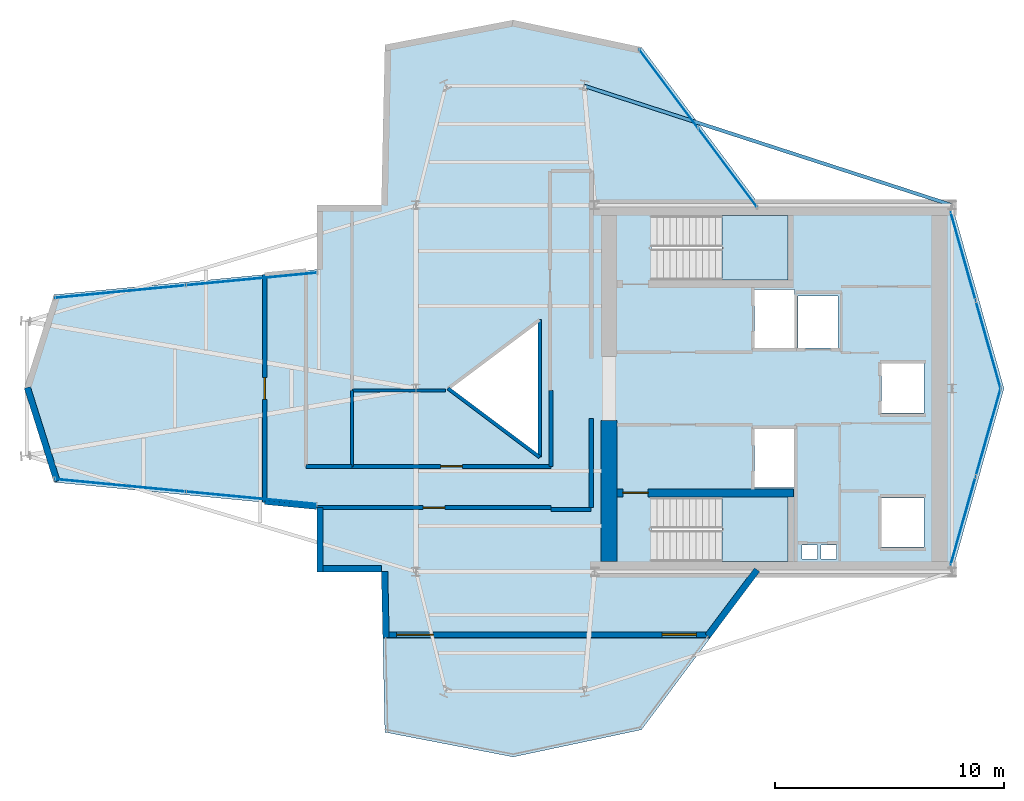
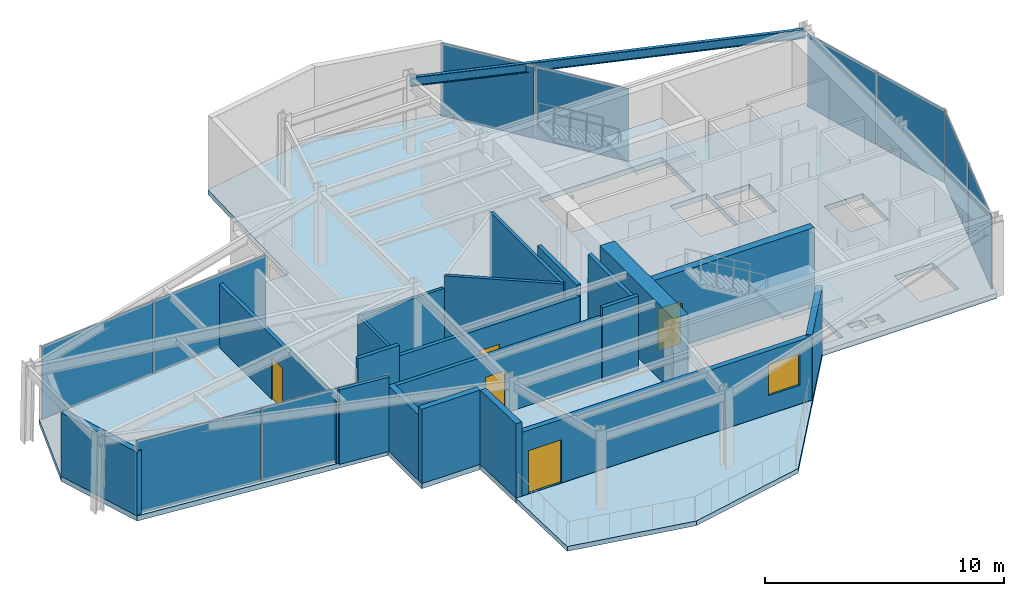
# One storey, part 14 of 18: 20 walls, 10 plates, 5 doors, 4 slabs, 1 beam, 1 window, 6 openings, 7 elements without a shape of their own.
"""IFC4 building model written with IfcOpenShell, lengths in metres."""

from ifc_helpers import new_model, si_unit, direction, frame, frame_2d, origin, origin_2d, place, context, subcontext, project, spatial, polyline, rectangle, i_section, outline, extrude, material, layer, layer_set, material_profile, profile_set, type_object, element, fill, aggregate, save


model = new_model("IFC4")

# Units and contexts
model_context = context("Model", 3, precision=1e-05, world=origin(), true_north=direction((0.0, 1.0)))
body_context = subcontext(model_context, "Body", "Model", "MODEL_VIEW")
ifc_project = project(units=[si_unit("LENGTHUNIT", "METRE"), si_unit("AREAUNIT", "SQUARE_METRE"), si_unit("VOLUMEUNIT", "CUBIC_METRE"), si_unit("PLANEANGLEUNIT", "RADIAN"), si_unit("MASSUNIT", "GRAM", prefix="KILO")], contexts=[model_context])

# Site, building, storey
site_placement = place(None, origin())
site = spatial("IfcSite", under=ifc_project, at=site_placement, CompositionType="ELEMENT")
building_placement = place(site_placement, origin())
building = spatial("IfcBuilding", under=site, at=building_placement, Name="Veymaron Broadcast Tower", CompositionType="ELEMENT")
storey_placement = place(building_placement, frame((0.0, 0.0, 236.39990234375)))
storey = spatial("IfcBuildingStorey", under=building, at=storey_placement, Name="L55", CompositionType="ELEMENT", Elevation=236.39990234375)

# Beam
ifc_material_1 = material(Name="Structural steel ASTM A992 Gr 50", Category="steel")
ifc_material_profile = material_profile(ifc_material_1, i_section(OverallWidth=0.154052734375, OverallDepth=0.458984375, WebThickness=0.009033203125, FlangeThickness=0.015380859375, at=origin_2d()), Name="W460X68")
ifc_profile_set = profile_set([ifc_material_profile], Name="Structural steel ASTM A992 Gr 50")
beam_type = type_object("IfcBeamType", Name="BM-SP2", PredefinedType="SPANDREL", material=ifc_profile_set)
beam_placement = place(storey_placement, frame((54.60009765625, 32.0, 3.560546875), z_axis=(-0.951229239257, 0.308484901384, 0.0), x_axis=(-0.308484901384, -0.951229239257, 0.0)))
element("IfcBeam", 1, at=beam_placement, inside=storey, type_object=beam_type, Name="L55 primary structural floor girder", PredefinedType="SPANDREL", context=body_context, shape_type="SweptSolid", body=[
    extrude(i_section(OverallWidth=0.154052734375, OverallDepth=0.458984375, WebThickness=0.009033203125, FlangeThickness=0.015380859375, at=origin_2d()), origin(), (0.0, 0.0, 1.0), 16.888916015625),
])

# Curtain wall, plates
ifc_material_2 = material(Name="Anodised aluminium AA 6063-T6 and laminated low-E dark glass", Category="aluminium")
ifc_layer_1 = layer(ifc_material_2, 0.179931640625)
ifc_layer_set_1 = layer_set([ifc_layer_1], Name="Anodised aluminium AA 6063-T6 and laminated low-E dark glass")
curtain_wall_type = type_object("IfcCurtainWallType", Name="CW-SYS-05", PredefinedType="NOTDEFINED", material=ifc_layer_set_1)
curtain_wall_1_placement = place(storey_placement, origin())
curtain_wall_1 = element("IfcCurtainWall", 2, at=curtain_wall_1_placement, inside=storey, type_object=curtain_wall_type, Name="L55 dark-glass curtain wall CW-L55-E4-1", PredefinedType="NOTDEFINED")
ifc_material_3 = material(Name="Double-silver solar-control dark glass IGU 32 mm", Category="glass")
ifc_layer_2 = layer(ifc_material_3, 0.031982421875)
ifc_layer_set_2 = layer_set([ifc_layer_2], Name="Double-silver solar-control dark glass IGU 32 mm")
plate_type = type_object("IfcPlateType", Name="CW-PNL-02", PredefinedType="CURTAIN_PANEL", material=ifc_layer_set_2)
plate_1_placement = place(storey_placement, frame((55.083984375, 18.22021484375, 0.0400390625), z_axis=(0.0, 0.0, 1.0), x_axis=(0.272750442928, 0.962084817406, 0.0)))
plate_1 = element("IfcPlate", 3, at=plate_1_placement, type_object=plate_type, Name="CW-L55-E4-1 unitised curtain panel 0", PredefinedType="CURTAIN_PANEL", context=body_context, shape_type="SweptSolid", body=[
    extrude(rectangle(XDim=3.9716796875, YDim=0.031982421875, at=origin_2d()), origin(), (0.0, 0.0, 1.0), 3.7099609375),
])
plate_2_placement = place(storey_placement, frame((56.18359375, 22.098876953125, 0.0400390625), z_axis=(0.0, 0.0, 1.0), x_axis=(0.272750442928, 0.962084817406, 0.0)))
plate_2 = element("IfcPlate", 4, at=plate_2_placement, type_object=plate_type, Name="CW-L55-E4-1 unitised curtain panel 1", PredefinedType="CURTAIN_PANEL", context=body_context, shape_type="SweptSolid", body=[
    extrude(rectangle(XDim=3.9716796875, YDim=0.031982421875, at=origin_2d()), origin(), (0.0, 0.0, 1.0), 3.7099609375),
])
aggregate(curtain_wall_1, [plate_1, plate_2])

curtain_wall_2_placement = place(storey_placement, origin())
curtain_wall_2 = element("IfcCurtainWall", 5, at=curtain_wall_2_placement, inside=storey, type_object=curtain_wall_type, Name="L55 dark-glass curtain wall CW-L55-E5-1", PredefinedType="NOTDEFINED")
plate_3_placement = place(storey_placement, frame((56.18359375, 25.901123046875, 0.0400390625), z_axis=(0.0, 0.0, 1.0), x_axis=(-0.272750442928, 0.962084817406, 0.0)))
plate_3 = element("IfcPlate", 6, at=plate_3_placement, type_object=plate_type, Name="CW-L55-E5-1 unitised curtain panel 0", PredefinedType="CURTAIN_PANEL", context=body_context, shape_type="SweptSolid", body=[
    extrude(rectangle(XDim=3.9716796875, YDim=0.031982421875, at=origin_2d()), origin(), (0.0, 0.0, 1.0), 3.7099609375),
])
plate_4_placement = place(storey_placement, frame((55.083984375, 29.77978515625, 0.0400390625), z_axis=(0.0, 0.0, 1.0), x_axis=(-0.272750442928, 0.962084817406, 0.0)))
plate_4 = element("IfcPlate", 7, at=plate_4_placement, type_object=plate_type, Name="CW-L55-E5-1 unitised curtain panel 1", PredefinedType="CURTAIN_PANEL", context=body_context, shape_type="SweptSolid", body=[
    extrude(rectangle(XDim=3.9716796875, YDim=0.031982421875, at=origin_2d()), origin(), (0.0, 0.0, 1.0), 3.7099609375),
])
aggregate(curtain_wall_2, [plate_3, plate_4])

curtain_wall_3_placement = place(storey_placement, origin())
curtain_wall_3 = element("IfcCurtainWall", 8, at=curtain_wall_3_placement, inside=storey, type_object=curtain_wall_type, Name="L55 dark-glass curtain wall CW-L55-E7-1", PredefinedType="NOTDEFINED")
plate_5_placement = place(storey_placement, frame((44.7998046875, 33.64013671875, 0.0400390625), z_axis=(0.0, 0.0, 1.0), x_axis=(-0.598995647353, 0.800752280329, 0.0)))
plate_5 = element("IfcPlate", 9, at=plate_5_placement, type_object=plate_type, Name="CW-L55-E7-1 unitised curtain panel 0", PredefinedType="CURTAIN_PANEL", context=body_context, shape_type="SweptSolid", body=[
    extrude(rectangle(XDim=4.245849609375, YDim=0.031982421875, at=origin_2d()), origin(), (0.0, 0.0, 1.0), 3.7099609375),
])
plate_6_placement = place(storey_placement, frame((42.220703125, 37.088134765625, 0.0400390625), z_axis=(0.0, 0.0, 1.0), x_axis=(-0.598995647353, 0.800752280329, 0.0)))
plate_6 = element("IfcPlate", 10, at=plate_6_placement, type_object=plate_type, Name="CW-L55-E7-1 unitised curtain panel 1", PredefinedType="CURTAIN_PANEL", context=body_context, shape_type="SweptSolid", body=[
    extrude(rectangle(XDim=4.245849609375, YDim=0.031982421875, at=origin_2d()), origin(), (0.0, 0.0, 1.0), 3.7099609375),
])
aggregate(curtain_wall_3, [plate_5, plate_6])

curtain_wall_4_placement = place(storey_placement, origin())
curtain_wall_4 = element("IfcCurtainWall", 11, at=curtain_wall_4_placement, inside=storey, type_object=curtain_wall_type, Name="L55 dark-glass curtain wall CW-L55-E13-1", PredefinedType="NOTDEFINED")
plate_7_placement = place(storey_placement, frame((24.017333984375, 28.777587890625, 0.0400390625), z_axis=(0.0, 0.0, 1.0), x_axis=(-0.995431260811, -0.095480914329, 0.0)))
plate_7 = element("IfcPlate", 12, at=plate_7_placement, type_object=plate_type, Name="CW-L55-E13-1 unitised curtain panel 0", PredefinedType="CURTAIN_PANEL", context=body_context, shape_type="SweptSolid", body=[
    extrude(rectangle(XDim=5.702392578125, YDim=0.031982421875, at=origin_2d()), origin(), (0.0, 0.0, 1.0), 3.7099609375),
])
plate_8_placement = place(storey_placement, frame((18.281494140625, 28.227294921875, 0.0400390625), z_axis=(0.0, 0.0, 1.0), x_axis=(-0.995431260811, -0.095480914329, 0.0)))
plate_8 = element("IfcPlate", 13, at=plate_8_placement, type_object=plate_type, Name="CW-L55-E13-1 unitised curtain panel 1", PredefinedType="CURTAIN_PANEL", context=body_context, shape_type="SweptSolid", body=[
    extrude(rectangle(XDim=5.702392578125, YDim=0.031982421875, at=origin_2d()), origin(), (0.0, 0.0, 1.0), 3.7099609375),
])
aggregate(curtain_wall_4, [plate_7, plate_8])

curtain_wall_5_placement = place(storey_placement, origin())
curtain_wall_5 = element("IfcCurtainWall", 14, at=curtain_wall_5_placement, inside=storey, type_object=curtain_wall_type, Name="L55 dark-glass curtain wall CW-L55-E16-1", PredefinedType="NOTDEFINED")
plate_9_placement = place(storey_placement, frame((18.281494140625, 19.772705078125, 0.0400390625), z_axis=(0.0, 0.0, 1.0), x_axis=(0.995431260811, -0.095480914329, 0.0)))
plate_9 = element("IfcPlate", 15, at=plate_9_placement, type_object=plate_type, Name="CW-L55-E16-1 unitised curtain panel 0", PredefinedType="CURTAIN_PANEL", context=body_context, shape_type="SweptSolid", body=[
    extrude(rectangle(XDim=5.702392578125, YDim=0.031982421875, at=origin_2d()), origin(), (0.0, 0.0, 1.0), 3.7099609375),
])
plate_10_placement = place(storey_placement, frame((24.017333984375, 19.222412109375, 0.0400390625), z_axis=(0.0, 0.0, 1.0), x_axis=(0.995431260811, -0.095480914329, 0.0)))
plate_10 = element("IfcPlate", 16, at=plate_10_placement, type_object=plate_type, Name="CW-L55-E16-1 unitised curtain panel 1", PredefinedType="CURTAIN_PANEL", context=body_context, shape_type="SweptSolid", body=[
    extrude(rectangle(XDim=5.702392578125, YDim=0.031982421875, at=origin_2d()), origin(), (0.0, 0.0, 1.0), 3.7099609375),
])
aggregate(curtain_wall_5, [plate_9, plate_10])

# Slab
ifc_material_4 = material(Name="Concrete C40/50", Category="concrete")
ifc_layer_3 = layer(ifc_material_4, 0.260009765625)
ifc_layer_set_3 = layer_set([ifc_layer_3], Name="Concrete C40/50")
slab_type_1 = type_object("IfcSlabType", Name="SLAB-FS5", PredefinedType="FLOOR", material=ifc_layer_set_3)
slab_1_placement = place(storey_placement, frame((0.0, 0.0, -0.260009765625)))
element("IfcSlab", 17, at=slab_1_placement, inside=storey, type_object=slab_type_1, Name="L55 structural floor slab", PredefinedType="FLOOR", context=body_context, shape_type="SweptSolid", body=[
    extrude(outline(polyline([(29.753662109375, 13.115966796875), (44.044189453125, 13.115966796875), (46.20166015625, 16.0), (54.60009765625, 16.0), (56.867919921875, 24.0), (54.60009765625, 32.0), (46.20166015625, 32.0), (41.043212890625, 38.89599609375), (35.444091796875, 40.083984375), (29.8447265625, 39.00390625), (29.689697265625, 32.0), (26.8720703125, 32.0), (26.8720703125, 29.19189453125), (15.39990234375, 28.091796875), (14.10400390625, 24.0), (15.39990234375, 19.908203125), (26.8720703125, 18.80810546875), (26.8720703125, 16.0), (29.689697265625, 16.0), (29.753662109375, 13.115966796875)]), holes=[polyline([(45.969970703125, 28.330078125), (47.72998046875, 28.330078125), (47.72998046875, 25.77001953125), (45.969970703125, 25.77001953125), (45.969970703125, 28.330078125)]), polyline([(45.969970703125, 22.22998046875), (47.72998046875, 22.22998046875), (47.72998046875, 19.669921875), (45.969970703125, 19.669921875), (45.969970703125, 22.22998046875)]), polyline([(47.8701171875, 28.030029296875), (49.6298828125, 28.030029296875), (49.6298828125, 25.77001953125), (47.8701171875, 25.77001953125), (47.8701171875, 28.030029296875)]), polyline([(51.52001953125, 25.080078125), (53.3798828125, 25.080078125), (53.3798828125, 22.919921875), (51.52001953125, 22.919921875), (51.52001953125, 25.080078125)]), polyline([(51.52001953125, 19.22998046875), (53.3798828125, 19.22998046875), (53.3798828125, 17.070068359375), (51.52001953125, 17.070068359375), (51.52001953125, 19.22998046875)]), polyline([(48.050048828125, 17.159912109375), (48.719970703125, 17.159912109375), (48.719970703125, 16.56005859375), (48.050048828125, 16.56005859375), (48.050048828125, 17.159912109375)]), polyline([(48.8798828125, 17.159912109375), (49.550048828125, 17.159912109375), (49.550048828125, 16.56005859375), (48.8798828125, 16.56005859375), (48.8798828125, 17.159912109375)]), polyline([(36.60009765625, 27.0), (36.60009765625, 21.0), (32.60009765625, 24.0), (36.60009765625, 27.0)]), polyline([(41.489990234375, 31.550048828125), (47.43994140625, 31.550048828125), (47.43994140625, 28.72998046875), (41.489990234375, 28.72998046875), (41.489990234375, 31.550048828125)]), polyline([(41.489990234375, 19.27001953125), (47.43994140625, 19.27001953125), (47.43994140625, 16.449951171875), (41.489990234375, 16.449951171875), (41.489990234375, 19.27001953125)])]), origin(), (0.0, 0.0, 1.0), 0.260009765625),
])

# Stair, slab
ifc_material_5 = material(Name="Concrete C50/60", Category="concrete")
stair_type_1 = type_object("IfcStairType", Name="STAIR-CORE-1", PredefinedType="HALF_TURN_STAIR", material=ifc_material_5)
stair_1_placement = place(storey_placement, origin())
stair_1 = element("IfcStair", 18, at=stair_1_placement, inside=storey, type_object=stair_type_1, Name="L55 North protected dog-leg exit stair ST1", PredefinedType="HALF_TURN_STAIR")
ifc_layer_4 = layer(ifc_material_5, 0.199951171875)
ifc_layer_set_4 = layer_set([ifc_layer_4], Name="Concrete C50/60")
slab_type_2 = type_object("IfcSlabType", Name="SLAB-STAIR-LDG", PredefinedType="LANDING", material=ifc_layer_set_4)
slab_2_placement = place(storey_placement, frame((0.0, 0.0, 1.8251953125)))
slab_2 = element("IfcSlab", 19, at=slab_2_placement, type_object=slab_type_2, Name="ST1 landing 1", PredefinedType="LANDING", context=body_context, shape_type="SweptSolid", body=[
    extrude(outline(polyline([(44.56494140625, 28.72998046875), (47.43994140625, 28.72998046875), (47.43994140625, 31.550048828125), (44.56494140625, 31.550048828125), (44.56494140625, 28.72998046875)])), origin(), (0.0, 0.0, 1.0), 0.199951171875),
])
aggregate(stair_1, [slab_2])

stair_type_2 = type_object("IfcStairType", Name="STAIR-CORE-2", PredefinedType="HALF_TURN_STAIR", material=ifc_material_5)
stair_2_placement = place(storey_placement, origin())
stair_2 = element("IfcStair", 20, at=stair_2_placement, inside=storey, type_object=stair_type_2, Name="L55 South protected dog-leg exit stair ST2", PredefinedType="HALF_TURN_STAIR")
slab_3_placement = place(storey_placement, frame((0.0, 0.0, 1.8251953125)))
slab_3 = element("IfcSlab", 21, at=slab_3_placement, type_object=slab_type_2, Name="ST2 landing 1", PredefinedType="LANDING", context=body_context, shape_type="SweptSolid", body=[
    extrude(outline(polyline([(44.56494140625, 16.449951171875), (47.43994140625, 16.449951171875), (47.43994140625, 19.27001953125), (44.56494140625, 19.27001953125), (44.56494140625, 16.449951171875)])), origin(), (0.0, 0.0, 1.0), 0.199951171875),
])
aggregate(stair_2, [slab_3])

# Slab
ifc_layer_5 = layer(ifc_material_4, 0.239990234375)
ifc_layer_set_5 = layer_set([ifc_layer_5], Name="Concrete C40/50")
slab_type_3 = type_object("IfcSlabType", Name="SLAB-TERR-250", PredefinedType="FLOOR", material=ifc_layer_set_5)
slab_4_placement = place(storey_placement, frame((0.0, 0.0, -0.239990234375)))
element("IfcSlab", 22, at=slab_4_placement, inside=storey, type_object=slab_type_3, Name="L55 outdoor sky terrace slab", PredefinedType="FLOOR", context=body_context, shape_type="SweptSolid", body=[
    extrude(outline(polyline([(41.043212890625, 9.10400390625), (44.044189453125, 13.115966796875), (29.753662109375, 13.115966796875), (29.8447265625, 8.99609375), (35.444091796875, 7.916015625), (41.043212890625, 9.10400390625)])), origin(), (0.0, 0.0, 1.0), 0.239990234375),
])

# Wall, openings, door, window
ifc_material_6 = material(Name="Precast concrete C40/50", Category="concrete")
ifc_layer_6 = layer(ifc_material_6, 0.25)
ifc_layer_set_6 = layer_set([ifc_layer_6], Name="Precast concrete C40/50")
wall_type_1 = type_object("IfcWallType", Name="WALL-EXT-250", PredefinedType="STANDARD", material=ifc_layer_set_6)
wall_1_placement = place(storey_placement, frame((29.753662109375, 13.256103515625, 0.0), z_axis=(0.0, 0.0, 1.0), x_axis=(1.0, 0.0, 0.0)))
wall_1 = element("IfcWall", 23, at=wall_1_placement, inside=storey, type_object=wall_type_1, Name="L55 sky-terrace threshold wall", PredefinedType="STANDARD", context=body_context, shape_type="SweptSolid", body=[
    extrude(rectangle(XDim=14.29052734375, YDim=0.25, at=frame_2d((7.145263671875, 0.0))), origin(), (0.0, 0.0, 1.0), 3.2412109375),
])
opening_1_placement = place(wall_1_placement, frame((0.60009765625, 0.0, 0.0)))
opening_1 = element("IfcOpeningElement", 24, at=opening_1_placement, cuts=wall_1, Name="Opening ED-TR1", PredefinedType="OPENING", context=body_context, shape_type="SweptSolid", body=[
    extrude(rectangle(XDim=1.60009765625, YDim=2.199951171875, at=frame_2d((0.800048828125, 1.10009765625))), frame((0.0, 0.135009765625, 0.0), z_axis=(0.0, -1.0, 0.0), x_axis=(1.0, 0.0, 0.0)), (0.0, 0.0, 1.0), 0.27001953125),
])
opening_2_placement = place(wall_1_placement, frame((12.19091796875, 0.0, 0.949951171875)))
opening_2 = element("IfcOpeningElement", 25, at=opening_2_placement, cuts=wall_1, Name="Opening WN2", PredefinedType="OPENING", context=body_context, shape_type="SweptSolid", body=[
    extrude(rectangle(XDim=1.5, YDim=1.60009765625, at=frame_2d((0.75, 0.800048828125))), frame((0.0, 0.135009765625, 0.0), z_axis=(0.0, -1.0, 0.0), x_axis=(1.0, 0.0, 0.0)), (0.0, 0.0, 1.0), 0.27001953125),
])
ifc_material_7 = material(Name="Thermally broken aluminium and low-E safety glass", Category="aluminium")
door_type_1 = type_object("IfcDoorType", Name="DOOR-TERR-1600", OperationType="DOUBLE_DOOR_SINGLE_SWING", PredefinedType="DOOR", material=ifc_material_7)
door_1_placement = place(opening_1_placement, frame((1.60009765625, 0.0, 0.0), z_axis=(0.0, 0.0, 1.0), x_axis=(-1.0, 0.0, 0.0)))
door_1 = element("IfcDoor", 26, at=door_1_placement, inside=storey, type_object=door_type_1, Name="L55 sky-terrace access door", OperationType="SINGLE_SWING_LEFT", OverallHeight=2.199951171875, OverallWidth=1.60009765625, PredefinedType="DOOR", context=body_context, shape_type="SweptSolid", body=[
    extrude(rectangle(XDim=1.60009765625, YDim=2.199951171875, at=frame_2d((0.800048828125, 1.10009765625))), frame((0.0, 0.02490234375, 0.0), z_axis=(0.0, -1.0, 0.0), x_axis=(1.0, 0.0, 0.0)), (0.0, 0.0, 1.0), 0.050048828125),
])
fill(opening_1, door_1)
ifc_material_8 = material(Name="Thermally broken aluminium and acoustic laminated glass", Category="aluminium")
window_type = type_object("IfcWindowType", Name="WIN-EXT-1500", PartitioningType="SINGLE_PANEL", PredefinedType="WINDOW", material=ifc_material_8)
window_placement = place(opening_2_placement, origin())
window = element("IfcWindow", 27, at=window_placement, inside=storey, type_object=window_type, Name="L55 sky-terrace viewing window", OverallHeight=1.60009765625, OverallWidth=1.5, PartitioningType="SINGLE_PANEL", PredefinedType="WINDOW", context=body_context, shape_type="SweptSolid", body=[
    extrude(rectangle(XDim=1.5, YDim=1.60009765625, at=frame_2d((0.75, 0.800048828125))), frame((0.0, 0.030029296875, 0.0), z_axis=(0.0, -1.0, 0.0), x_axis=(1.0, 0.0, 0.0)), (0.0, 0.0, 1.0), 0.06005859375),
])
fill(opening_2, window)

# Walls
ifc_layer_7 = layer(ifc_material_6, 0.280029296875)
ifc_layer_set_7 = layer_set([ifc_layer_7], Name="Precast concrete C40/50")
wall_type_2 = type_object("IfcWallType", Name="WALL-EXT-280", PredefinedType="STANDARD", material=ifc_layer_set_7)
wall_2_placement = place(storey_placement, frame((43.93212890625, 13.199951171875, 0.0), z_axis=(0.0, 0.0, 1.0), x_axis=(0.599012599487, 0.800739599156, 0.0)))
element("IfcWall", 28, at=wall_2_placement, inside=storey, type_object=wall_type_2, Name="L55 notched corner facade pier 2-1", PredefinedType="STANDARD", context=body_context, shape_type="SweptSolid", body=[
    extrude(rectangle(XDim=3.601806640625, YDim=0.280029296875, at=frame_2d((1.80078125, 0.0))), origin(), (0.0, 0.0, 1.0), 3.319091796875),
])
wall_3_placement = place(storey_placement, frame((14.237548828125, 24.042236328125, 0.0), z_axis=(0.0, 0.0, 1.0), x_axis=(0.301942542658, -0.953326125171, 0.0)))
element("IfcWall", 29, at=wall_3_placement, inside=storey, type_object=wall_type_2, Name="L55 notched corner facade pier 15-1", PredefinedType="STANDARD", context=body_context, shape_type="SweptSolid", body=[
    extrude(rectangle(XDim=4.2919921875, YDim=0.280029296875, at=frame_2d((2.14599609375, 0.0))), origin(), (0.0, 0.0, 1.0), 3.2412109375),
])
wall_4_placement = place(storey_placement, frame((27.011962890625, 18.80810546875, 0.0), z_axis=(0.0, 0.0, 1.0), x_axis=(0.0, -1.0, 0.0)))
element("IfcWall", 30, at=wall_4_placement, inside=storey, type_object=wall_type_2, Name="L55 notched corner facade pier 17-1", PredefinedType="STANDARD", context=body_context, shape_type="SweptSolid", body=[
    extrude(rectangle(XDim=2.80810546875, YDim=0.280029296875, at=frame_2d((1.404052734375, 0.0))), origin(), (0.0, 0.0, 1.0), 3.319091796875),
])
wall_5_placement = place(storey_placement, frame((26.8720703125, 16.139892578125, 0.0), z_axis=(0.0, 0.0, 1.0), x_axis=(1.0, 0.0, 0.0)))
element("IfcWall", 31, at=wall_5_placement, inside=storey, type_object=wall_type_2, Name="L55 notched corner facade pier 18-1", PredefinedType="STANDARD", context=body_context, shape_type="SweptSolid", body=[
    extrude(rectangle(XDim=2.817626953125, YDim=0.280029296875, at=frame_2d((1.40869140625, 0.0))), origin(), (0.0, 0.0, 1.0), 3.7900390625),
])
wall_6_placement = place(storey_placement, frame((29.82958984375, 16.003173828125, 0.0), z_axis=(0.0, 0.0, 1.0), x_axis=(0.022173502419, -0.999754137671, 0.0)))
element("IfcWall", 32, at=wall_6_placement, inside=storey, type_object=wall_type_2, Name="L55 notched corner facade pier 19-1", PredefinedType="STANDARD", context=body_context, shape_type="SweptSolid", body=[
    extrude(rectangle(XDim=2.884765625, YDim=0.280029296875, at=frame_2d((1.4423828125, 0.0))), origin(), (0.0, 0.0, 1.0), 3.7900390625),
])

# Wall, opening, door
ifc_layer_8 = layer(ifc_material_4, 0.179931640625)
ifc_layer_set_8 = layer_set([ifc_layer_8], Name="Concrete C40/50")
wall_type_3 = type_object("IfcWallType", Name="WALL-FIRE-180", PredefinedType="SOLIDWALL", material=ifc_layer_set_8)
wall_7_placement = place(storey_placement, frame((26.8720703125, 18.800048828125, 0.0), z_axis=(0.0, 0.0, 1.0), x_axis=(1.0, 0.0, 0.0)))
wall_7 = element("IfcWall", 33, at=wall_7_placement, inside=storey, type_object=wall_type_3, Name="L55 partition IW-L55-P01", PredefinedType="SOLIDWALL", context=body_context, shape_type="SweptSolid", body=[
    extrude(rectangle(XDim=10.22802734375, YDim=0.179931640625, at=frame_2d((5.114013671875, 0.0))), origin(), (0.0, 0.0, 1.0), 3.2412109375),
])
opening_3_placement = place(wall_7_placement, frame((4.638916015625, 0.0, 0.0)))
opening_3 = element("IfcOpeningElement", 34, at=opening_3_placement, cuts=wall_7, Name="Opening ID-RM1", PredefinedType="OPENING", context=body_context, shape_type="SweptSolid", body=[
    extrude(rectangle(XDim=0.949951171875, YDim=2.14990234375, at=frame_2d((0.47509765625, 1.074951171875))), frame((0.0, 0.10009765625, 0.0), z_axis=(0.0, -1.0, 0.0), x_axis=(1.0, 0.0, 0.0)), (0.0, 0.0, 1.0), 0.199951171875),
])
ifc_material_9 = material(Name="Acoustic solid-core European oak veneer timber", Category="wood")
door_type_2 = type_object("IfcDoorType", Name="DOOR-INT-950", OperationType="NOTDEFINED", PredefinedType="DOOR", material=ifc_material_9)
door_2_placement = place(opening_3_placement, frame((0.949951171875, 0.0, 0.0), z_axis=(0.0, 0.0, 1.0), x_axis=(-1.0, 0.0, 0.0)))
door_2 = element("IfcDoor", 35, at=door_2_placement, inside=storey, type_object=door_type_2, Name="L55 door DR-L55-P01", OperationType="SINGLE_SWING_RIGHT", OverallHeight=2.14990234375, OverallWidth=0.949951171875, PredefinedType="DOOR", context=body_context, shape_type="SweptSolid", body=[
    extrude(rectangle(XDim=0.949951171875, YDim=2.14990234375, at=frame_2d((0.47509765625, 1.074951171875))), frame((0.0, 0.02490234375, 0.0), z_axis=(0.0, -1.0, 0.0), x_axis=(1.0, 0.0, 0.0)), (0.0, 0.0, 1.0), 0.050048828125),
])
fill(opening_3, door_2)

wall_8_placement = place(storey_placement, frame((28.406982421875, 20.60009765625, 0.0), z_axis=(0.0, 0.0, 1.0), x_axis=(1.0, 0.0, 0.0)))
wall_8 = element("IfcWall", 36, at=wall_8_placement, inside=storey, type_object=wall_type_3, Name="L55 partition IW-L55-P04", PredefinedType="SOLIDWALL", context=body_context, shape_type="SweptSolid", body=[
    extrude(rectangle(XDim=8.693115234375, YDim=0.179931640625, at=frame_2d((4.3466796875, 0.0))), origin(), (0.0, 0.0, 1.0), 3.2412109375),
])
opening_4_placement = place(wall_8_placement, frame((3.87158203125, 0.0, 0.0)))
opening_4 = element("IfcOpeningElement", 37, at=opening_4_placement, cuts=wall_8, Name="Opening ID-RM1", PredefinedType="OPENING", context=body_context, shape_type="SweptSolid", body=[
    extrude(rectangle(XDim=0.949951171875, YDim=2.14990234375, at=frame_2d((0.47509765625, 1.074951171875))), frame((0.0, 0.10009765625, 0.0), z_axis=(0.0, -1.0, 0.0), x_axis=(1.0, 0.0, 0.0)), (0.0, 0.0, 1.0), 0.199951171875),
])
door_3_placement = place(opening_4_placement, origin())
door_3 = element("IfcDoor", 38, at=door_3_placement, inside=storey, type_object=door_type_2, Name="L55 door DR-L55-P04", OperationType="SINGLE_SWING_LEFT", OverallHeight=2.14990234375, OverallWidth=0.949951171875, PredefinedType="DOOR", context=body_context, shape_type="SweptSolid", body=[
    extrude(rectangle(XDim=0.949951171875, YDim=2.14990234375, at=frame_2d((0.47509765625, 1.074951171875))), frame((0.0, 0.02490234375, 0.0), z_axis=(0.0, -1.0, 0.0), x_axis=(1.0, 0.0, 0.0)), (0.0, 0.0, 1.0), 0.050048828125),
])
fill(opening_4, door_3)

wall_9_placement = place(storey_placement, frame((24.60009765625, 19.02587890625, 0.0), z_axis=(0.0, 0.0, 1.0), x_axis=(0.0, 1.0, 0.0)))
wall_9 = element("IfcWall", 39, at=wall_9_placement, inside=storey, type_object=wall_type_3, Name="L55 partition IW-L55-P06", PredefinedType="SOLIDWALL", context=body_context, shape_type="SweptSolid", body=[
    extrude(rectangle(XDim=9.9482421875, YDim=0.179931640625, at=frame_2d((4.97412109375, 0.0))), origin(), (0.0, 0.0, 1.0), 3.2412109375),
])
opening_5_placement = place(wall_9_placement, frame((4.4990234375, 0.0, 0.0)))
opening_5 = element("IfcOpeningElement", 40, at=opening_5_placement, cuts=wall_9, Name="Opening ID-RM1", PredefinedType="OPENING", context=body_context, shape_type="SweptSolid", body=[
    extrude(rectangle(XDim=0.949951171875, YDim=2.14990234375, at=frame_2d((0.47509765625, 1.074951171875))), frame((0.0, 0.10009765625, 0.0), z_axis=(0.0, -1.0, 0.0), x_axis=(1.0, 0.0, 0.0)), (0.0, 0.0, 1.0), 0.199951171875),
])
door_4_placement = place(opening_5_placement, origin())
door_4 = element("IfcDoor", 41, at=door_4_placement, inside=storey, type_object=door_type_2, Name="L55 door DR-L55-P06", OperationType="SINGLE_SWING_LEFT", OverallHeight=2.14990234375, OverallWidth=0.949951171875, PredefinedType="DOOR", context=body_context, shape_type="SweptSolid", body=[
    extrude(rectangle(XDim=0.949951171875, YDim=2.14990234375, at=frame_2d((0.47509765625, 1.074951171875))), frame((0.0, 0.02490234375, 0.0), z_axis=(0.0, -1.0, 0.0), x_axis=(1.0, 0.0, 0.0)), (0.0, 0.0, 1.0), 0.050048828125),
])
fill(opening_5, door_4)

# Walls
wall_10_placement = place(storey_placement, frame((38.85009765625, 18.800048828125, 0.0), z_axis=(0.0, 0.0, 1.0), x_axis=(0.0, 1.0, 0.0)))
element("IfcWall", 42, at=wall_10_placement, inside=storey, type_object=wall_type_3, Name="L55 partition IW-L55-P02", PredefinedType="SOLIDWALL", context=body_context, shape_type="SweptSolid", body=[
    extrude(rectangle(XDim=3.89990234375, YDim=0.179931640625, at=frame_2d((1.949951171875, 0.0))), origin(), (0.0, 0.0, 1.0), 3.468017578125),
])
wall_11_placement = place(storey_placement, frame((37.10009765625, 18.716064453125, 0.0), z_axis=(0.0, 0.0, 1.0), x_axis=(1.0, 0.0, 0.0)))
element("IfcWall", 43, at=wall_11_placement, inside=storey, type_object=wall_type_3, Name="L55 partition IW-L55-P03", PredefinedType="SOLIDWALL", context=body_context, shape_type="SweptSolid", body=[
    extrude(rectangle(XDim=1.75, YDim=0.179931640625, at=frame_2d((0.875, 0.0))), origin(), (0.0, 0.0, 1.0), 3.7900390625),
])
wall_12_placement = place(storey_placement, frame((37.10009765625, 20.60009765625, 0.0), z_axis=(0.0, 0.0, 1.0), x_axis=(0.0, 1.0, 0.0)))
element("IfcWall", 44, at=wall_12_placement, inside=storey, type_object=wall_type_3, Name="L55 partition IW-L55-P05", PredefinedType="SOLIDWALL", context=body_context, shape_type="SweptSolid", body=[
    extrude(rectangle(XDim=3.302978515625, YDim=0.179931640625, at=frame_2d((1.6513671875, 0.0))), origin(), (0.0, 0.0, 1.0), 3.7900390625),
])
wall_13_placement = place(storey_placement, frame((24.60009765625, 19.02587890625, 0.0), z_axis=(0.0, 0.0, 1.0), x_axis=(0.995437598075, -0.095414822425, 0.0)))
element("IfcWall", 45, at=wall_13_placement, inside=storey, type_object=wall_type_3, Name="L55 partition IW-L55-P08", PredefinedType="SOLIDWALL", context=body_context, shape_type="SweptSolid", body=[
    extrude(rectangle(XDim=2.282470703125, YDim=0.179931640625, at=frame_2d((1.14111328125, 0.0))), origin(), (0.0, 0.0, 1.0), 3.7900390625),
])
wall_14_placement = place(storey_placement, frame((26.39990234375, 20.60009765625, 0.0), z_axis=(0.0, 0.0, 1.0), x_axis=(1.0, 0.0, 0.0)))
element("IfcWall", 46, at=wall_14_placement, inside=storey, type_object=wall_type_3, Name="L55 partition IW-L55-P09", PredefinedType="SOLIDWALL", context=body_context, shape_type="SweptSolid", body=[
    extrude(rectangle(XDim=2.007080078125, YDim=0.179931640625, at=frame_2d((1.00341796875, 0.0))), origin(), (0.0, 0.0, 1.0), 3.7900390625),
])
ifc_material_10 = material(Name="Fire-rated laminated glass in aluminium frame", Category="aluminium")
ifc_layer_9 = layer(ifc_material_10, 0.14990234375)
ifc_layer_set_9 = layer_set([ifc_layer_9], Name="Fire-rated laminated glass in aluminium frame")
wall_type_4 = type_object("IfcWallType", Name="WALL-GLZ-150", PredefinedType="MOVABLE", material=ifc_layer_set_9)
wall_15_placement = place(storey_placement, frame((32.60009765625, 24.0, 0.0), z_axis=(0.0, 0.0, 1.0), x_axis=(0.8, -0.6, 0.0)))
element("IfcWall", 47, at=wall_15_placement, inside=storey, type_object=wall_type_4, Name="L55 partition IW-L55-ATR1", PredefinedType="MOVABLE", context=body_context, shape_type="SweptSolid", body=[
    extrude(rectangle(XDim=5.0, YDim=0.14990234375, at=frame_2d((2.5, 0.0))), origin(), (0.0, 0.0, 1.0), 3.7900390625),
])
wall_16_placement = place(storey_placement, frame((36.60009765625, 21.0, 0.0), z_axis=(0.0, 0.0, 1.0), x_axis=(0.0, 1.0, 0.0)))
element("IfcWall", 48, at=wall_16_placement, inside=storey, type_object=wall_type_4, Name="L55 partition IW-L55-ATR2", PredefinedType="MOVABLE", context=body_context, shape_type="SweptSolid", body=[
    extrude(rectangle(XDim=6.0, YDim=0.14990234375, at=frame_2d((3.0, 0.0))), origin(), (0.0, 0.0, 1.0), 3.7900390625),
])
ifc_material_11 = material(Name="Double-layer acoustic gypsum and stud", Category="gypsum")
ifc_layer_10 = layer(ifc_material_11, 0.135009765625)
ifc_layer_set_10 = layer_set([ifc_layer_10], Name="Double-layer acoustic gypsum and stud")
wall_type_5 = type_object("IfcWallType", Name="WALL-PART-135", PredefinedType="PARTITIONING", material=ifc_layer_set_10)
wall_17_placement = place(storey_placement, frame((28.406982421875, 20.60009765625, 0.0), z_axis=(0.0, 0.0, 1.0), x_axis=(0.0, 1.0, 0.0)))
element("IfcWall", 49, at=wall_17_placement, inside=storey, type_object=wall_type_5, Name="L55 partition IW-L55-P14", PredefinedType="PARTITIONING", context=body_context, shape_type="SweptSolid", body=[
    extrude(rectangle(XDim=3.302978515625, YDim=0.135009765625, at=frame_2d((1.6513671875, 0.0))), origin(), (0.0, 0.0, 1.0), 3.2412109375),
])
wall_18_placement = place(storey_placement, frame((28.406982421875, 23.903076171875, 0.0), z_axis=(0.0, 0.0, 1.0), x_axis=(1.0, 0.0, 0.0)))
element("IfcWall", 50, at=wall_18_placement, inside=storey, type_object=wall_type_5, Name="L55 partition IW-L55-P15", PredefinedType="PARTITIONING", context=body_context, shape_type="SweptSolid", body=[
    extrude(rectangle(XDim=4.078857421875, YDim=0.135009765625, at=frame_2d((2.03955078125, 0.0))), origin(), (0.0, 0.0, 1.0), 3.2412109375),
])

# Wall, opening, door
ifc_layer_11 = layer(ifc_material_5, 0.35009765625)
ifc_layer_set_11 = layer_set([ifc_layer_11], Name="Concrete C50/60")
wall_type_6 = type_object("IfcWallType", Name="WALL-SHEAR-350", PredefinedType="SHEAR", material=ifc_layer_set_11)
wall_19_placement = place(storey_placement, frame((39.97998046875, 19.445068359375, 0.0), z_axis=(0.0, 0.0, 1.0), x_axis=(1.0, 0.0, 0.0)))
wall_19 = element("IfcWall", 51, at=wall_19_placement, inside=storey, type_object=wall_type_6, Name="L55 Core Wall south stair spine", PredefinedType="SHEAR", context=body_context, shape_type="SweptSolid", body=[
    extrude(rectangle(XDim=7.7099609375, YDim=0.35009765625, at=frame_2d((3.85498046875, 0.0))), origin(), (0.0, 0.0, 1.0), 3.7900390625),
])
opening_6_placement = place(wall_19_placement, frame((0.25, 0.0, 0.0)))
opening_6 = element("IfcOpeningElement", 52, at=opening_6_placement, cuts=wall_19, Name="Opening ID-ST1", PredefinedType="OPENING", context=body_context, shape_type="SweptSolid", body=[
    extrude(rectangle(XDim=1.10009765625, YDim=2.14990234375, at=frame_2d((0.550048828125, 1.074951171875))), frame((0.0, 0.18505859375, 0.0), z_axis=(0.0, -1.0, 0.0), x_axis=(1.0, 0.0, 0.0)), (0.0, 0.0, 1.0), 0.3701171875),
])
ifc_material_12 = material(Name="Fire-rated painted hollow steel ASTM A653", Category="steel")
door_type_3 = type_object("IfcDoorType", Name="DOOR-STAIR-1100", OperationType="NOTDEFINED", PredefinedType="DOOR", material=ifc_material_12)
door_5_placement = place(opening_6_placement, frame((1.10009765625, 0.0, 0.0), z_axis=(0.0, 0.0, 1.0), x_axis=(-1.0, 0.0, 0.0)))
door_5 = element("IfcDoor", 53, at=door_5_placement, inside=storey, type_object=door_type_3, Name="L55 exit stair ST2 fire door", OperationType="SINGLE_SWING_LEFT", OverallHeight=2.14990234375, OverallWidth=1.10009765625, PredefinedType="DOOR", context=body_context, shape_type="SweptSolid", body=[
    extrude(rectangle(XDim=1.10009765625, YDim=2.14990234375, at=frame_2d((0.550048828125, 1.074951171875))), frame((0.0, 0.02490234375, 0.0), z_axis=(0.0, -1.0, 0.0), x_axis=(1.0, 0.0, 0.0)), (0.0, 0.0, 1.0), 0.050048828125),
])
fill(opening_6, door_5)

# Wall
ifc_material_13 = material(Name="Concrete C60/75", Category="concrete")
ifc_layer_12 = layer(ifc_material_13, 0.699951171875)
ifc_layer_set_12 = layer_set([ifc_layer_12], Name="Concrete C60/75")
wall_type_7 = type_object("IfcWallType", Name="WALL-SHEAR-700", PredefinedType="SHEAR", material=ifc_layer_set_12)
wall_20_placement = place(storey_placement, frame((39.6298828125, 16.449951171875, 0.0), z_axis=(0.0, 0.0, 1.0), x_axis=(0.0, 1.0, 0.0)))
element("IfcWall", 54, at=wall_20_placement, inside=storey, type_object=wall_type_7, Name="L55 Core Wall west-south shear", PredefinedType="SHEAR", context=body_context, shape_type="SweptSolid", body=[
    extrude(rectangle(XDim=6.150146484375, YDim=0.699951171875, at=frame_2d((3.0751953125, 0.0))), origin(), (0.0, 0.0, 1.0), 3.7900390625),
])

save(model, "model.ifc")
